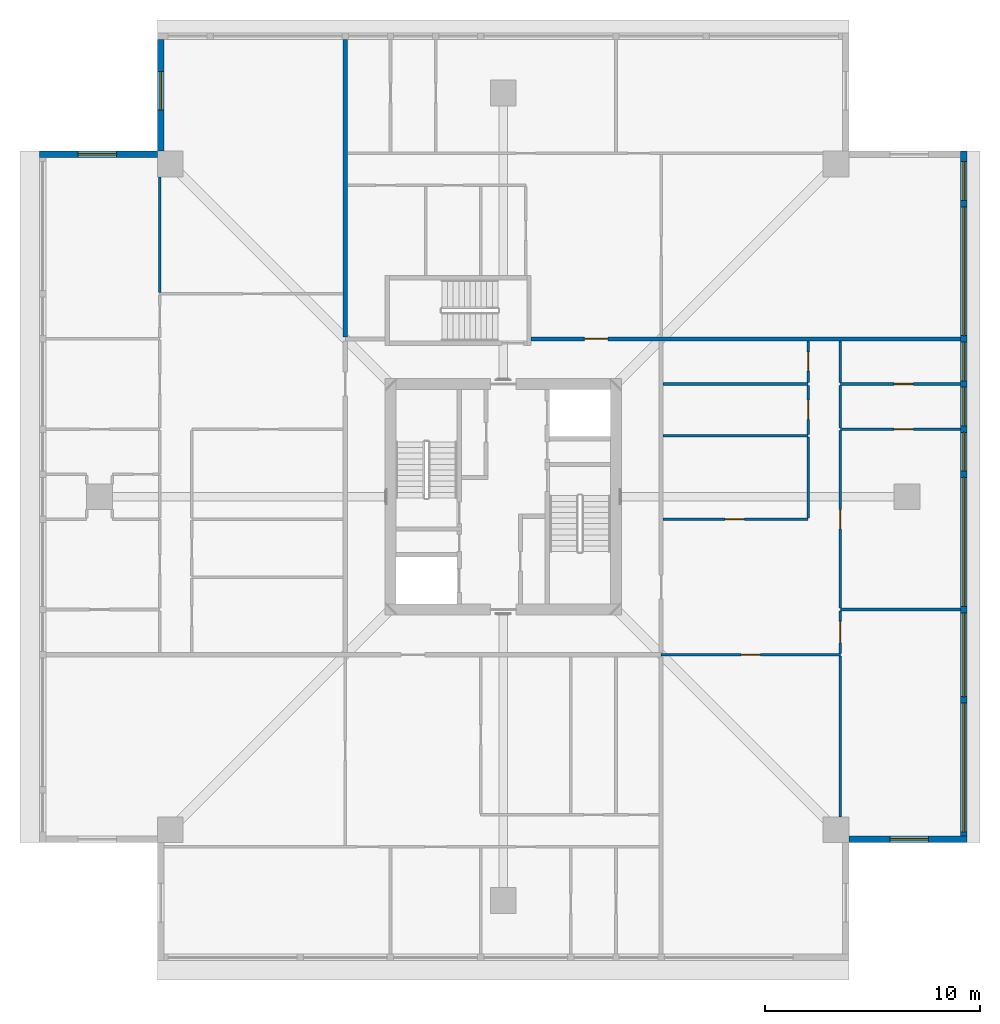
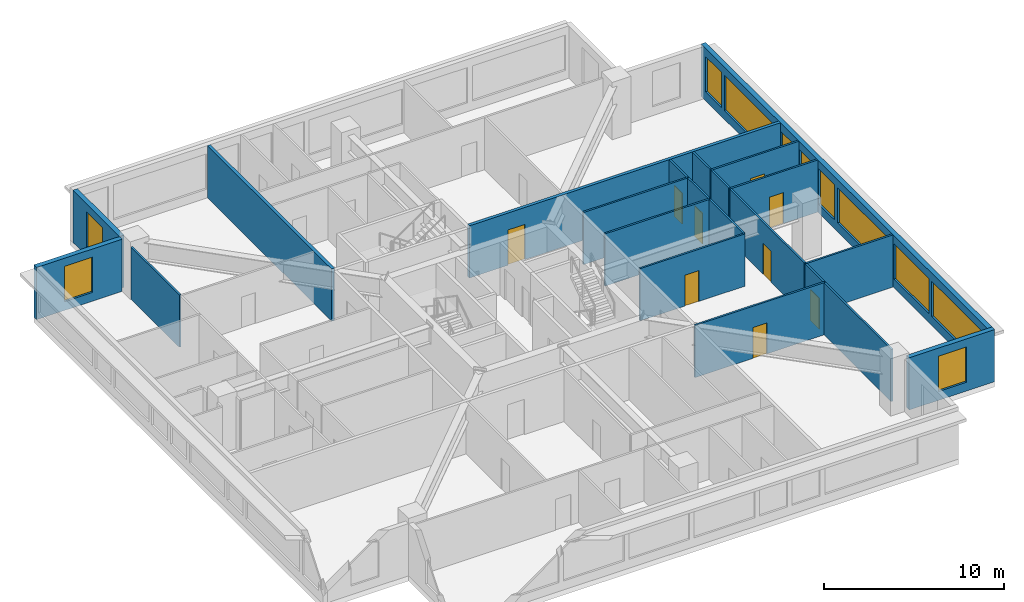
# One storey, part 7 of 12: 22 walls, 11 windows, 9 doors, 20 openings.
"""IFC4 building model written with IfcOpenShell, lengths in metres."""

from ifc_helpers import new_model, si_unit, direction, frame, frame_2d, origin, place, context, subcontext, project, spatial, rectangle, extrude, material, layer, layer_set, type_object, element, fill, save


model = new_model("IFC4")

# Units and contexts
model_context = context("Model", 3, precision=1e-05, world=origin(), true_north=direction((0.0, 1.0)))
body_context = subcontext(model_context, "Body", "Model", "MODEL_VIEW")
ifc_project = project(units=[si_unit("LENGTHUNIT", "METRE"), si_unit("AREAUNIT", "SQUARE_METRE"), si_unit("VOLUMEUNIT", "CUBIC_METRE"), si_unit("PLANEANGLEUNIT", "RADIAN"), si_unit("MASSUNIT", "GRAM", prefix="KILO")], contexts=[model_context])

# Site, building, storey
site_placement = place(None, origin())
site = spatial("IfcSite", under=ifc_project, at=site_placement, CompositionType="ELEMENT")
building_placement = place(site_placement, origin())
building = spatial("IfcBuilding", under=site, at=building_placement, Name="Khepri Terraces", CompositionType="ELEMENT")
storey_placement = place(building_placement, frame((0.0, 0.0, 296.699951171875)))
storey = spatial("IfcBuildingStorey", under=building, at=storey_placement, Name="L71", CompositionType="ELEMENT", Elevation=296.699951171875)

# Wall, opening, door
ifc_material_1 = material(Name="Fire-rated gypsum plasterboard partition, mineral wool")
ifc_layer_1 = layer(ifc_material_1, 0.199951171875, Name="Fire-rated gypsum plasterboard partition, mineral wool")
ifc_layer_set_1 = layer_set([ifc_layer_1], Name="Fire-rated gypsum plasterboard partition, mineral wool")
wall_type_1 = type_object("IfcWallType", Name="WL-CORR-200", PredefinedType="PARTITIONING", material=ifc_layer_set_1)
wall_1_placement = place(storey_placement, frame((1.300048828125, 7.35009765625, 0.0), z_axis=(0.0, 0.0, 1.0), x_axis=(1.0, 0.0, 0.0)))
wall_1 = element("IfcWall", 1, at=wall_1_placement, inside=storey, type_object=wall_type_1, Name="Partition P-053 L71", PredefinedType="PARTITIONING", context=body_context, shape_type="SweptSolid", body=[
    extrude(rectangle(XDim=20.0, YDim=0.199951171875, at=frame_2d((10.0, 0.0))), origin(), (0.0, 0.0, 1.0), 3.550048828125),
])
opening_1_placement = place(wall_1_placement, frame((2.47509765625, 0.0, 0.0)))
opening_1 = element("IfcOpeningElement", 2, at=opening_1_placement, cuts=wall_1, Name="Opening D1", PredefinedType="OPENING", context=body_context, shape_type="SweptSolid", body=[
    extrude(rectangle(XDim=1.10009765625, YDim=2.39990234375, at=frame_2d((0.550048828125, 1.199951171875))), frame((0.0, 0.10986328125, 0.0), z_axis=(0.0, -1.0, 0.0), x_axis=(1.0, 0.0, 0.0)), (0.0, 0.0, 1.0), 0.219970703125),
])
ifc_material_2 = material(Name="Solid-core timber door leaf, flat entrance door", Category="wood")
door_type_1 = type_object("IfcDoorType", Name="DR-ENT-1100", OperationType="NOTDEFINED", PredefinedType="DOOR", material=ifc_material_2)
door_1_placement = place(opening_1_placement, origin())
door_1 = element("IfcDoor", 3, at=door_1_placement, inside=storey, type_object=door_type_1, Name="Flat C1 entrance door", OperationType="SINGLE_SWING_LEFT", OverallHeight=2.39990234375, OverallWidth=1.10009765625, PredefinedType="DOOR", context=body_context, shape_type="SweptSolid", body=[
    extrude(rectangle(XDim=1.10009765625, YDim=2.39990234375, at=frame_2d((0.550048828125, 1.199951171875))), frame((0.0, 0.02490234375, 0.0), z_axis=(0.0, -1.0, 0.0), x_axis=(1.0, 0.0, 0.0)), (0.0, 0.0, 1.0), 0.050048828125),
])
fill(opening_1, door_1)

# Wall
wall_2_placement = place(storey_placement, frame((-7.35009765625, 7.449951171875, 0.0), z_axis=(0.0, 0.0, 1.0), x_axis=(0.0, 1.0, 0.0)))
element("IfcWall", 4, at=wall_2_placement, inside=storey, type_object=wall_type_1, Name="Partition P-055 L71", PredefinedType="PARTITIONING", context=body_context, shape_type="SweptSolid", body=[
    extrude(rectangle(XDim=13.85009765625, YDim=0.199951171875, at=frame_2d((6.925048828125, 0.0))), origin(), (0.0, 0.0, 1.0), 3.550048828125),
])

# Wall, openings, windows
ifc_material_3 = material(Name="Precast concrete C50/60 warm stone", Category="masonry")
ifc_layer_2 = layer(ifc_material_3, 0.300048828125, Name="Precast concrete C50/60 warm stone", Category="masonry")
ifc_layer_set_2 = layer_set([ifc_layer_2], Name="Precast concrete C50/60 warm stone")
wall_type_2 = type_object("IfcWallType", Name="WL-EXT-PRECAST-300", PredefinedType="STANDARD", material=ifc_layer_set_2)
wall_3_placement = place(storey_placement, frame((21.449951171875, -15.800048828125, 0.0), z_axis=(0.0, 0.0, 1.0), x_axis=(0.0, 1.0, 0.0)))
wall_3 = element("IfcWall", 5, at=wall_3_placement, inside=storey, type_object=wall_type_2, Name="External wall L71 E", PredefinedType="STANDARD", context=body_context, shape_type="SweptSolid", body=[
    extrude(rectangle(XDim=31.900146484375, YDim=0.300048828125, at=frame_2d((15.9501953125, 0.0))), origin(), (0.0, 0.0, 1.0), 3.550048828125),
])
opening_2_placement = place(wall_3_placement, frame((0.199951171875, 0.0, 0.60009765625)))
opening_2 = element("IfcOpeningElement", 6, at=opening_2_placement, cuts=wall_3, Name="Opening WC3", PredefinedType="OPENING", context=body_context, shape_type="SweptSolid", body=[
    extrude(rectangle(XDim=6.0, YDim=2.39990234375, at=frame_2d((3.0, 1.199951171875))), frame((0.0, 0.16015625, 0.0), z_axis=(0.0, -1.0, 0.0), x_axis=(1.0, 0.0, 0.0)), (0.0, 0.0, 1.0), 0.320068359375),
])
opening_3_placement = place(wall_3_placement, frame((6.5, 0.0, 0.60009765625)))
opening_3 = element("IfcOpeningElement", 7, at=opening_3_placement, cuts=wall_3, Name="Opening WC2", PredefinedType="OPENING", context=body_context, shape_type="SweptSolid", body=[
    extrude(rectangle(XDim=3.89990234375, YDim=2.39990234375, at=frame_2d((1.949951171875, 1.199951171875))), frame((0.0, 0.16015625, 0.0), z_axis=(0.0, -1.0, 0.0), x_axis=(1.0, 0.0, 0.0)), (0.0, 0.0, 1.0), 0.320068359375),
])
opening_4_placement = place(wall_3_placement, frame((10.699951171875, 0.0, 0.60009765625)))
opening_4 = element("IfcOpeningElement", 8, at=opening_4_placement, cuts=wall_3, Name="Opening WC3", PredefinedType="OPENING", context=body_context, shape_type="SweptSolid", body=[
    extrude(rectangle(XDim=6.0, YDim=2.39990234375, at=frame_2d((3.0, 1.199951171875))), frame((0.0, 0.16015625, 0.0), z_axis=(0.0, -1.0, 0.0), x_axis=(1.0, 0.0, 0.0)), (0.0, 0.0, 1.0), 0.320068359375),
])
opening_5_placement = place(wall_3_placement, frame((17.0, 0.0, 0.60009765625)))
opening_5 = element("IfcOpeningElement", 9, at=opening_5_placement, cuts=wall_3, Name="Opening WC1", PredefinedType="OPENING", context=body_context, shape_type="SweptSolid", body=[
    extrude(rectangle(XDim=1.800048828125, YDim=2.39990234375, at=frame_2d((0.89990234375, 1.199951171875))), frame((0.0, 0.16015625, 0.0), z_axis=(0.0, -1.0, 0.0), x_axis=(1.0, 0.0, 0.0)), (0.0, 0.0, 1.0), 0.320068359375),
])
opening_6_placement = place(wall_3_placement, frame((19.10009765625, 0.0, 0.60009765625)))
opening_6 = element("IfcOpeningElement", 10, at=opening_6_placement, cuts=wall_3, Name="Opening WC1", PredefinedType="OPENING", context=body_context, shape_type="SweptSolid", body=[
    extrude(rectangle(XDim=1.800048828125, YDim=2.39990234375, at=frame_2d((0.89990234375, 1.199951171875))), frame((0.0, 0.16015625, 0.0), z_axis=(0.0, -1.0, 0.0), x_axis=(1.0, 0.0, 0.0)), (0.0, 0.0, 1.0), 0.320068359375),
])
opening_7_placement = place(wall_3_placement, frame((21.199951171875, 0.0, 0.60009765625)))
opening_7 = element("IfcOpeningElement", 11, at=opening_7_placement, cuts=wall_3, Name="Opening WC1", PredefinedType="OPENING", context=body_context, shape_type="SweptSolid", body=[
    extrude(rectangle(XDim=1.800048828125, YDim=2.39990234375, at=frame_2d((0.89990234375, 1.199951171875))), frame((0.0, 0.16015625, 0.0), z_axis=(0.0, -1.0, 0.0), x_axis=(1.0, 0.0, 0.0)), (0.0, 0.0, 1.0), 0.320068359375),
])
opening_8_placement = place(wall_3_placement, frame((23.300048828125, 0.0, 0.60009765625)))
opening_8 = element("IfcOpeningElement", 12, at=opening_8_placement, cuts=wall_3, Name="Opening WC3", PredefinedType="OPENING", context=body_context, shape_type="SweptSolid", body=[
    extrude(rectangle(XDim=6.0, YDim=2.39990234375, at=frame_2d((3.0, 1.199951171875))), frame((0.0, 0.16015625, 0.0), z_axis=(0.0, -1.0, 0.0), x_axis=(1.0, 0.0, 0.0)), (0.0, 0.0, 1.0), 0.320068359375),
])
opening_9_placement = place(wall_3_placement, frame((29.60009765625, 0.0, 0.60009765625)))
opening_9 = element("IfcOpeningElement", 13, at=opening_9_placement, cuts=wall_3, Name="Opening WC1", PredefinedType="OPENING", context=body_context, shape_type="SweptSolid", body=[
    extrude(rectangle(XDim=1.800048828125, YDim=2.39990234375, at=frame_2d((0.89990234375, 1.199951171875))), frame((0.0, 0.16015625, 0.0), z_axis=(0.0, -1.0, 0.0), x_axis=(1.0, 0.0, 0.0)), (0.0, 0.0, 1.0), 0.320068359375),
])
ifc_material_4 = material(Name="Clear glass", Category="glass")
window_type_1 = type_object("IfcWindowType", Name="WIN-CRN-1800x2400", PartitioningType="SINGLE_PANEL", PredefinedType="WINDOW", material=ifc_material_4)
window_1_placement = place(opening_5_placement, origin())
window_1 = element("IfcWindow", 14, at=window_1_placement, inside=storey, type_object=window_type_1, Name="Window L71 E", OverallHeight=2.39990234375, OverallWidth=1.800048828125, PartitioningType="SINGLE_PANEL", PredefinedType="WINDOW", context=body_context, shape_type="SweptSolid", body=[
    extrude(rectangle(XDim=1.800048828125, YDim=2.39990234375, at=frame_2d((0.89990234375, 1.199951171875))), frame((0.0, 0.030029296875, 0.0), z_axis=(0.0, -1.0, 0.0), x_axis=(1.0, 0.0, 0.0)), (0.0, 0.0, 1.0), 0.06005859375),
])
fill(opening_5, window_1)
window_2_placement = place(opening_6_placement, origin())
window_2 = element("IfcWindow", 15, at=window_2_placement, inside=storey, type_object=window_type_1, Name="Window L71 E", OverallHeight=2.39990234375, OverallWidth=1.800048828125, PartitioningType="SINGLE_PANEL", PredefinedType="WINDOW", context=body_context, shape_type="SweptSolid", body=[
    extrude(rectangle(XDim=1.800048828125, YDim=2.39990234375, at=frame_2d((0.89990234375, 1.199951171875))), frame((0.0, 0.030029296875, 0.0), z_axis=(0.0, -1.0, 0.0), x_axis=(1.0, 0.0, 0.0)), (0.0, 0.0, 1.0), 0.06005859375),
])
fill(opening_6, window_2)
window_3_placement = place(opening_7_placement, origin())
window_3 = element("IfcWindow", 16, at=window_3_placement, inside=storey, type_object=window_type_1, Name="Window L71 E", OverallHeight=2.39990234375, OverallWidth=1.800048828125, PartitioningType="SINGLE_PANEL", PredefinedType="WINDOW", context=body_context, shape_type="SweptSolid", body=[
    extrude(rectangle(XDim=1.800048828125, YDim=2.39990234375, at=frame_2d((0.89990234375, 1.199951171875))), frame((0.0, 0.030029296875, 0.0), z_axis=(0.0, -1.0, 0.0), x_axis=(1.0, 0.0, 0.0)), (0.0, 0.0, 1.0), 0.06005859375),
])
fill(opening_7, window_3)
window_4_placement = place(opening_9_placement, origin())
window_4 = element("IfcWindow", 17, at=window_4_placement, inside=storey, type_object=window_type_1, Name="Window L71 E", OverallHeight=2.39990234375, OverallWidth=1.800048828125, PartitioningType="SINGLE_PANEL", PredefinedType="WINDOW", context=body_context, shape_type="SweptSolid", body=[
    extrude(rectangle(XDim=1.800048828125, YDim=2.39990234375, at=frame_2d((0.89990234375, 1.199951171875))), frame((0.0, 0.030029296875, 0.0), z_axis=(0.0, -1.0, 0.0), x_axis=(1.0, 0.0, 0.0)), (0.0, 0.0, 1.0), 0.06005859375),
])
fill(opening_9, window_4)
window_type_2 = type_object("IfcWindowType", Name="WIN-CRN-3900x2400", PartitioningType="SINGLE_PANEL", PredefinedType="WINDOW", material=ifc_material_4)
window_5_placement = place(opening_3_placement, origin())
window_5 = element("IfcWindow", 18, at=window_5_placement, inside=storey, type_object=window_type_2, Name="Window L71 E", OverallHeight=2.39990234375, OverallWidth=3.89990234375, PartitioningType="SINGLE_PANEL", PredefinedType="WINDOW", context=body_context, shape_type="SweptSolid", body=[
    extrude(rectangle(XDim=3.89990234375, YDim=2.39990234375, at=frame_2d((1.949951171875, 1.199951171875))), frame((0.0, 0.030029296875, 0.0), z_axis=(0.0, -1.0, 0.0), x_axis=(1.0, 0.0, 0.0)), (0.0, 0.0, 1.0), 0.06005859375),
])
fill(opening_3, window_5)
window_type_3 = type_object("IfcWindowType", Name="WIN-CRN-6000x2400", PartitioningType="SINGLE_PANEL", PredefinedType="WINDOW", material=ifc_material_4)
window_6_placement = place(opening_2_placement, origin())
window_6 = element("IfcWindow", 19, at=window_6_placement, inside=storey, type_object=window_type_3, Name="Window L71 E", OverallHeight=2.39990234375, OverallWidth=6.0, PartitioningType="SINGLE_PANEL", PredefinedType="WINDOW", context=body_context, shape_type="SweptSolid", body=[
    extrude(rectangle(XDim=6.0, YDim=2.39990234375, at=frame_2d((3.0, 1.199951171875))), frame((0.0, 0.030029296875, 0.0), z_axis=(0.0, -1.0, 0.0), x_axis=(1.0, 0.0, 0.0)), (0.0, 0.0, 1.0), 0.06005859375),
])
fill(opening_2, window_6)
window_7_placement = place(opening_4_placement, origin())
window_7 = element("IfcWindow", 20, at=window_7_placement, inside=storey, type_object=window_type_3, Name="Window L71 E", OverallHeight=2.39990234375, OverallWidth=6.0, PartitioningType="SINGLE_PANEL", PredefinedType="WINDOW", context=body_context, shape_type="SweptSolid", body=[
    extrude(rectangle(XDim=6.0, YDim=2.39990234375, at=frame_2d((3.0, 1.199951171875))), frame((0.0, 0.030029296875, 0.0), z_axis=(0.0, -1.0, 0.0), x_axis=(1.0, 0.0, 0.0)), (0.0, 0.0, 1.0), 0.06005859375),
])
fill(opening_4, window_7)
window_8_placement = place(opening_8_placement, origin())
window_8 = element("IfcWindow", 21, at=window_8_placement, inside=storey, type_object=window_type_3, Name="Window L71 E", OverallHeight=2.39990234375, OverallWidth=6.0, PartitioningType="SINGLE_PANEL", PredefinedType="WINDOW", context=body_context, shape_type="SweptSolid", body=[
    extrude(rectangle(XDim=6.0, YDim=2.39990234375, at=frame_2d((3.0, 1.199951171875))), frame((0.0, 0.030029296875, 0.0), z_axis=(0.0, -1.0, 0.0), x_axis=(1.0, 0.0, 0.0)), (0.0, 0.0, 1.0), 0.06005859375),
])
fill(opening_8, window_8)

# Wall, opening, window
wall_4_placement = place(storey_placement, frame((-15.949951171875, 21.300048828125, 0.0), z_axis=(0.0, 0.0, 1.0), x_axis=(0.0, -1.0, 0.0)))
wall_4 = element("IfcWall", 22, at=wall_4_placement, inside=storey, type_object=wall_type_2, Name="External wall L71 W", PredefinedType="STANDARD", context=body_context, shape_type="SweptSolid", body=[
    extrude(rectangle(XDim=5.199951171875, YDim=0.300048828125, at=frame_2d((2.60009765625, 0.0))), origin(), (0.0, 0.0, 1.0), 3.550048828125),
])
opening_10_placement = place(wall_4_placement, frame((1.5, 0.0, 0.60009765625)))
opening_10 = element("IfcOpeningElement", 23, at=opening_10_placement, cuts=wall_4, Name="Opening WC1", PredefinedType="OPENING", context=body_context, shape_type="SweptSolid", body=[
    extrude(rectangle(XDim=1.800048828125, YDim=2.39990234375, at=frame_2d((0.89990234375, 1.199951171875))), frame((0.0, 0.16015625, 0.0), z_axis=(0.0, -1.0, 0.0), x_axis=(1.0, 0.0, 0.0)), (0.0, 0.0, 1.0), 0.320068359375),
])
window_9_placement = place(opening_10_placement, origin())
window_9 = element("IfcWindow", 24, at=window_9_placement, inside=storey, type_object=window_type_1, Name="Window L71 W", OverallHeight=2.39990234375, OverallWidth=1.800048828125, PartitioningType="SINGLE_PANEL", PredefinedType="WINDOW", context=body_context, shape_type="SweptSolid", body=[
    extrude(rectangle(XDim=1.800048828125, YDim=2.39990234375, at=frame_2d((0.89990234375, 1.199951171875))), frame((0.0, 0.030029296875, 0.0), z_axis=(0.0, -1.0, 0.0), x_axis=(1.0, 0.0, 0.0)), (0.0, 0.0, 1.0), 0.06005859375),
])
fill(opening_10, window_9)

wall_5_placement = place(storey_placement, frame((-16.10009765625, 15.949951171875, 0.0), z_axis=(0.0, 0.0, 1.0), x_axis=(-1.0, 0.0, 0.0)))
wall_5 = element("IfcWall", 25, at=wall_5_placement, inside=storey, type_object=wall_type_2, Name="External wall L71 N", PredefinedType="STANDARD", context=body_context, shape_type="SweptSolid", body=[
    extrude(rectangle(XDim=5.5, YDim=0.300048828125, at=frame_2d((2.75, 0.0))), origin(), (0.0, 0.0, 1.0), 3.550048828125),
])
opening_11_placement = place(wall_5_placement, frame((1.89990234375, 0.0, 0.60009765625)))
opening_11 = element("IfcOpeningElement", 26, at=opening_11_placement, cuts=wall_5, Name="Opening WC1", PredefinedType="OPENING", context=body_context, shape_type="SweptSolid", body=[
    extrude(rectangle(XDim=1.800048828125, YDim=2.39990234375, at=frame_2d((0.89990234375, 1.199951171875))), frame((0.0, 0.16015625, 0.0), z_axis=(0.0, -1.0, 0.0), x_axis=(1.0, 0.0, 0.0)), (0.0, 0.0, 1.0), 0.320068359375),
])
window_10_placement = place(opening_11_placement, origin())
window_10 = element("IfcWindow", 27, at=window_10_placement, inside=storey, type_object=window_type_1, Name="Window L71 N", OverallHeight=2.39990234375, OverallWidth=1.800048828125, PartitioningType="SINGLE_PANEL", PredefinedType="WINDOW", context=body_context, shape_type="SweptSolid", body=[
    extrude(rectangle(XDim=1.800048828125, YDim=2.39990234375, at=frame_2d((0.89990234375, 1.199951171875))), frame((0.0, 0.030029296875, 0.0), z_axis=(0.0, -1.0, 0.0), x_axis=(1.0, 0.0, 0.0)), (0.0, 0.0, 1.0), 0.06005859375),
])
fill(opening_11, window_10)

wall_6_placement = place(storey_placement, frame((16.10009765625, -15.949951171875, 0.0), z_axis=(0.0, 0.0, 1.0), x_axis=(1.0, 0.0, 0.0)))
wall_6 = element("IfcWall", 28, at=wall_6_placement, inside=storey, type_object=wall_type_2, Name="External wall L71 S", PredefinedType="STANDARD", context=body_context, shape_type="SweptSolid", body=[
    extrude(rectangle(XDim=5.5, YDim=0.300048828125, at=frame_2d((2.75, 0.0))), origin(), (0.0, 0.0, 1.0), 3.550048828125),
])
opening_12_placement = place(wall_6_placement, frame((1.89990234375, 0.0, 0.60009765625)))
opening_12 = element("IfcOpeningElement", 29, at=opening_12_placement, cuts=wall_6, Name="Opening WC1", PredefinedType="OPENING", context=body_context, shape_type="SweptSolid", body=[
    extrude(rectangle(XDim=1.800048828125, YDim=2.39990234375, at=frame_2d((0.89990234375, 1.199951171875))), frame((0.0, 0.16015625, 0.0), z_axis=(0.0, -1.0, 0.0), x_axis=(1.0, 0.0, 0.0)), (0.0, 0.0, 1.0), 0.320068359375),
])
window_11_placement = place(opening_12_placement, origin())
window_11 = element("IfcWindow", 30, at=window_11_placement, inside=storey, type_object=window_type_1, Name="Window L71 S", OverallHeight=2.39990234375, OverallWidth=1.800048828125, PartitioningType="SINGLE_PANEL", PredefinedType="WINDOW", context=body_context, shape_type="SweptSolid", body=[
    extrude(rectangle(XDim=1.800048828125, YDim=2.39990234375, at=frame_2d((0.89990234375, 1.199951171875))), frame((0.0, 0.030029296875, 0.0), z_axis=(0.0, -1.0, 0.0), x_axis=(1.0, 0.0, 0.0)), (0.0, 0.0, 1.0), 0.06005859375),
])
fill(opening_12, window_11)

# Wall
ifc_material_5 = material(Name="Gypsum plasterboard partition")
ifc_layer_3 = layer(ifc_material_5, 0.1201171875, Name="Gypsum plasterboard partition")
ifc_layer_set_3 = layer_set([ifc_layer_3], Name="Gypsum plasterboard partition")
wall_type_3 = type_object("IfcWallType", Name="WL-PART-120", PredefinedType="PARTITIONING", material=ifc_layer_set_3)
wall_7_placement = place(storey_placement, frame((15.699951171875, -14.89990234375, 0.0), z_axis=(0.0, 0.0, 1.0), x_axis=(0.0, 1.0, 0.0)))
element("IfcWall", 31, at=wall_7_placement, inside=storey, type_object=wall_type_3, Name="Partition P-008 L71", PredefinedType="PARTITIONING", context=body_context, shape_type="SweptSolid", body=[
    extrude(rectangle(XDim=7.489990234375, YDim=0.1201171875, at=frame_2d((3.7451171875, 0.0))), origin(), (0.0, 0.0, 1.0), 3.550048828125),
])

# Wall, opening, door
wall_8_placement = place(storey_placement, frame((7.35009765625, -7.35009765625, 0.0), z_axis=(0.0, 0.0, 1.0), x_axis=(1.0, 0.0, 0.0)))
wall_8 = element("IfcWall", 32, at=wall_8_placement, inside=storey, type_object=wall_type_3, Name="Partition P-014 L71", PredefinedType="PARTITIONING", context=body_context, shape_type="SweptSolid", body=[
    extrude(rectangle(XDim=8.349853515625, YDim=0.1201171875, at=frame_2d((4.1748046875, 0.0))), origin(), (0.0, 0.0, 1.0), 3.550048828125),
])
opening_13_placement = place(wall_8_placement, frame((3.72509765625, 0.0, 0.0)))
opening_13 = element("IfcOpeningElement", 33, at=opening_13_placement, cuts=wall_8, Name="Opening D3", PredefinedType="OPENING", context=body_context, shape_type="SweptSolid", body=[
    extrude(rectangle(XDim=0.89990234375, YDim=2.10009765625, at=frame_2d((0.449951171875, 1.050048828125))), frame((0.0, 0.070068359375, 0.0), z_axis=(0.0, -1.0, 0.0), x_axis=(1.0, 0.0, 0.0)), (0.0, 0.0, 1.0), 0.14013671875),
])
ifc_material_6 = material(Name="Timber door leaf", Category="wood")
door_type_2 = type_object("IfcDoorType", Name="DR-INT-900", OperationType="NOTDEFINED", PredefinedType="DOOR", material=ifc_material_6)
door_2_placement = place(opening_13_placement, frame((0.89990234375, 0.0, 0.0), z_axis=(0.0, 0.0, 1.0), x_axis=(-1.0, 0.0, 0.0)))
door_2 = element("IfcDoor", 34, at=door_2_placement, inside=storey, type_object=door_type_2, Name="Door Home Cinema", OperationType="SINGLE_SWING_RIGHT", OverallHeight=2.10009765625, OverallWidth=0.89990234375, PredefinedType="DOOR", context=body_context, shape_type="SweptSolid", body=[
    extrude(rectangle(XDim=0.89990234375, YDim=2.10009765625, at=frame_2d((0.449951171875, 1.050048828125))), frame((0.0, 0.02490234375, 0.0), z_axis=(0.0, -1.0, 0.0), x_axis=(1.0, 0.0, 0.0)), (0.0, 0.0, 1.0), 0.050048828125),
])
fill(opening_13, door_2)

wall_9_placement = place(storey_placement, frame((15.699951171875, -7.2900390625, 0.0), z_axis=(0.0, 0.0, 1.0), x_axis=(0.0, 1.0, 0.0)))
wall_9 = element("IfcWall", 35, at=wall_9_placement, inside=storey, type_object=wall_type_3, Name="Partition P-015 L71", PredefinedType="PARTITIONING", context=body_context, shape_type="SweptSolid", body=[
    extrude(rectangle(XDim=1.97998046875, YDim=0.1201171875, at=frame_2d((0.989990234375, 0.0))), origin(), (0.0, 0.0, 1.0), 3.550048828125),
])
opening_14_placement = place(wall_9_placement, frame((0.489990234375, 0.0, 0.0)))
opening_14 = element("IfcOpeningElement", 36, at=opening_14_placement, cuts=wall_9, Name="Opening D2", PredefinedType="OPENING", context=body_context, shape_type="SweptSolid", body=[
    extrude(rectangle(XDim=1.0, YDim=2.10009765625, at=frame_2d((0.5, 1.050048828125))), frame((0.0, 0.070068359375, 0.0), z_axis=(0.0, -1.0, 0.0), x_axis=(1.0, 0.0, 0.0)), (0.0, 0.0, 1.0), 0.14013671875),
])
ifc_material_7 = material(Name="Timber door leaf, living room door", Category="wood")
door_type_3 = type_object("IfcDoorType", Name="DR-INT-1000", OperationType="NOTDEFINED", PredefinedType="DOOR", material=ifc_material_7)
door_3_placement = place(opening_14_placement, frame((1.0, 0.0, 0.0), z_axis=(0.0, 0.0, 1.0), x_axis=(-1.0, 0.0, 0.0)))
door_3 = element("IfcDoor", 37, at=door_3_placement, inside=storey, type_object=door_type_3, Name="Door Living Room", OperationType="SINGLE_SWING_LEFT", OverallHeight=2.10009765625, OverallWidth=1.0, PredefinedType="DOOR", context=body_context, shape_type="SweptSolid", body=[
    extrude(rectangle(XDim=1.0, YDim=2.10009765625, at=frame_2d((0.5, 1.050048828125))), frame((0.0, 0.02490234375, 0.0), z_axis=(0.0, -1.0, 0.0), x_axis=(1.0, 0.0, 0.0)), (0.0, 0.0, 1.0), 0.050048828125),
])
fill(opening_14, door_3)

# Wall
wall_10_placement = place(storey_placement, frame((15.699951171875, -5.25, 0.0), z_axis=(0.0, 0.0, 1.0), x_axis=(1.0, 0.0, 0.0)))
element("IfcWall", 38, at=wall_10_placement, inside=storey, type_object=wall_type_3, Name="Partition P-021 L71", PredefinedType="PARTITIONING", context=body_context, shape_type="SweptSolid", body=[
    extrude(rectangle(XDim=5.60009765625, YDim=0.1201171875, at=frame_2d((2.800048828125, 0.0))), origin(), (0.0, 0.0, 1.0), 3.550048828125),
])

# Wall, opening, door
wall_11_placement = place(storey_placement, frame((15.699951171875, -5.18994140625, 0.0), z_axis=(0.0, 0.0, 1.0), x_axis=(0.0, 1.0, 0.0)))
wall_11 = element("IfcWall", 39, at=wall_11_placement, inside=storey, type_object=wall_type_3, Name="Partition P-023 L71", PredefinedType="PARTITIONING", context=body_context, shape_type="SweptSolid", body=[
    extrude(rectangle(XDim=8.280029296875, YDim=0.1201171875, at=frame_2d((4.14013671875, 0.0))), origin(), (0.0, 0.0, 1.0), 3.550048828125),
])
opening_15_placement = place(wall_11_placement, frame((3.68994140625, 0.0, 0.0)))
opening_15 = element("IfcOpeningElement", 40, at=opening_15_placement, cuts=wall_11, Name="Opening D3", PredefinedType="OPENING", context=body_context, shape_type="SweptSolid", body=[
    extrude(rectangle(XDim=0.89990234375, YDim=2.10009765625, at=frame_2d((0.449951171875, 1.050048828125))), frame((0.0, 0.070068359375, 0.0), z_axis=(0.0, -1.0, 0.0), x_axis=(1.0, 0.0, 0.0)), (0.0, 0.0, 1.0), 0.14013671875),
])
door_4_placement = place(opening_15_placement, frame((0.89990234375, 0.0, 0.0), z_axis=(0.0, 0.0, 1.0), x_axis=(-1.0, 0.0, 0.0)))
door_4 = element("IfcDoor", 41, at=door_4_placement, inside=storey, type_object=door_type_2, Name="Door Master Bedroom", OperationType="SINGLE_SWING_LEFT", OverallHeight=2.10009765625, OverallWidth=0.89990234375, PredefinedType="DOOR", context=body_context, shape_type="SweptSolid", body=[
    extrude(rectangle(XDim=0.89990234375, YDim=2.10009765625, at=frame_2d((0.449951171875, 1.050048828125))), frame((0.0, 0.02490234375, 0.0), z_axis=(0.0, -1.0, 0.0), x_axis=(1.0, 0.0, 0.0)), (0.0, 0.0, 1.0), 0.050048828125),
])
fill(opening_15, door_4)

wall_12_placement = place(storey_placement, frame((7.449951171875, -1.050048828125, 0.0), z_axis=(0.0, 0.0, 1.0), x_axis=(1.0, 0.0, 0.0)))
wall_12 = element("IfcWall", 42, at=wall_12_placement, inside=storey, type_object=wall_type_3, Name="Partition P-027 L71", PredefinedType="PARTITIONING", context=body_context, shape_type="SweptSolid", body=[
    extrude(rectangle(XDim=6.75, YDim=0.1201171875, at=frame_2d((3.375, 0.0))), origin(), (0.0, 0.0, 1.0), 3.550048828125),
])
opening_16_placement = place(wall_12_placement, frame((2.875, 0.0, 0.0)))
opening_16 = element("IfcOpeningElement", 43, at=opening_16_placement, cuts=wall_12, Name="Opening D3", PredefinedType="OPENING", context=body_context, shape_type="SweptSolid", body=[
    extrude(rectangle(XDim=0.89990234375, YDim=2.10009765625, at=frame_2d((0.449951171875, 1.050048828125))), frame((0.0, 0.070068359375, 0.0), z_axis=(0.0, -1.0, 0.0), x_axis=(1.0, 0.0, 0.0)), (0.0, 0.0, 1.0), 0.14013671875),
])
door_5_placement = place(opening_16_placement, origin())
door_5 = element("IfcDoor", 44, at=door_5_placement, inside=storey, type_object=door_type_2, Name="Door Kitchen", OperationType="SINGLE_SWING_LEFT", OverallHeight=2.10009765625, OverallWidth=0.89990234375, PredefinedType="DOOR", context=body_context, shape_type="SweptSolid", body=[
    extrude(rectangle(XDim=0.89990234375, YDim=2.10009765625, at=frame_2d((0.449951171875, 1.050048828125))), frame((0.0, 0.02490234375, 0.0), z_axis=(0.0, -1.0, 0.0), x_axis=(1.0, 0.0, 0.0)), (0.0, 0.0, 1.0), 0.050048828125),
])
fill(opening_16, door_5)

# Walls
wall_13_placement = place(storey_placement, frame((14.199951171875, -0.989990234375, 0.0), z_axis=(0.0, 0.0, 1.0), x_axis=(0.0, 1.0, 0.0)))
element("IfcWall", 45, at=wall_13_placement, inside=storey, type_object=wall_type_3, Name="Partition P-031 L71", PredefinedType="PARTITIONING", context=body_context, shape_type="SweptSolid", body=[
    extrude(rectangle(XDim=3.780029296875, YDim=0.1201171875, at=frame_2d((1.89013671875, 0.0))), origin(), (0.0, 0.0, 1.0), 3.550048828125),
])
wall_14_placement = place(storey_placement, frame((7.449951171875, 2.85009765625, 0.0), z_axis=(0.0, 0.0, 1.0), x_axis=(1.0, 0.0, 0.0)))
element("IfcWall", 46, at=wall_14_placement, inside=storey, type_object=wall_type_3, Name="Partition P-040 L71", PredefinedType="PARTITIONING", context=body_context, shape_type="SweptSolid", body=[
    extrude(rectangle(XDim=6.75, YDim=0.1201171875, at=frame_2d((3.375, 0.0))), origin(), (0.0, 0.0, 1.0), 3.550048828125),
])

# Wall, opening, door
wall_15_placement = place(storey_placement, frame((14.199951171875, 2.909912109375, 0.0), z_axis=(0.0, 0.0, 1.0), x_axis=(0.0, 1.0, 0.0)))
wall_15 = element("IfcWall", 47, at=wall_15_placement, inside=storey, type_object=wall_type_3, Name="Partition P-041 L71", PredefinedType="PARTITIONING", context=body_context, shape_type="SweptSolid", body=[
    extrude(rectangle(XDim=2.280029296875, YDim=0.1201171875, at=frame_2d((1.14013671875, 0.0))), origin(), (0.0, 0.0, 1.0), 3.550048828125),
])
opening_17_placement = place(wall_15_placement, frame((0.68994140625, 0.0, 0.0)))
opening_17 = element("IfcOpeningElement", 48, at=opening_17_placement, cuts=wall_15, Name="Opening D4", PredefinedType="OPENING", context=body_context, shape_type="SweptSolid", body=[
    extrude(rectangle(XDim=0.89990234375, YDim=2.10009765625, at=frame_2d((0.449951171875, 1.050048828125))), frame((0.0, 0.070068359375, 0.0), z_axis=(0.0, -1.0, 0.0), x_axis=(1.0, 0.0, 0.0)), (0.0, 0.0, 1.0), 0.14013671875),
])
ifc_material_8 = material(Name="Timber door leaf, moisture resistant", Category="wood")
door_type_4 = type_object("IfcDoorType", Name="DR-WET-900", OperationType="NOTDEFINED", PredefinedType="DOOR", material=ifc_material_8)
door_6_placement = place(opening_17_placement, origin())
door_6 = element("IfcDoor", 49, at=door_6_placement, inside=storey, type_object=door_type_4, Name="Door Guest Bathroom", OperationType="SINGLE_SWING_LEFT", OverallHeight=2.10009765625, OverallWidth=0.89990234375, PredefinedType="DOOR", context=body_context, shape_type="SweptSolid", body=[
    extrude(rectangle(XDim=0.89990234375, YDim=2.10009765625, at=frame_2d((0.449951171875, 1.050048828125))), frame((0.0, 0.02490234375, 0.0), z_axis=(0.0, -1.0, 0.0), x_axis=(1.0, 0.0, 0.0)), (0.0, 0.0, 1.0), 0.050048828125),
])
fill(opening_17, door_6)

wall_16_placement = place(storey_placement, frame((15.699951171875, 3.14990234375, 0.0), z_axis=(0.0, 0.0, 1.0), x_axis=(1.0, 0.0, 0.0)))
wall_16 = element("IfcWall", 50, at=wall_16_placement, inside=storey, type_object=wall_type_3, Name="Partition P-044 L71", PredefinedType="PARTITIONING", context=body_context, shape_type="SweptSolid", body=[
    extrude(rectangle(XDim=5.60009765625, YDim=0.1201171875, at=frame_2d((2.800048828125, 0.0))), origin(), (0.0, 0.0, 1.0), 3.550048828125),
])
opening_18_placement = place(wall_16_placement, frame((2.5, 0.0, 0.0)))
opening_18 = element("IfcOpeningElement", 51, at=opening_18_placement, cuts=wall_16, Name="Opening D3", PredefinedType="OPENING", context=body_context, shape_type="SweptSolid", body=[
    extrude(rectangle(XDim=0.89990234375, YDim=2.10009765625, at=frame_2d((0.449951171875, 1.050048828125))), frame((0.0, 0.070068359375, 0.0), z_axis=(0.0, -1.0, 0.0), x_axis=(1.0, 0.0, 0.0)), (0.0, 0.0, 1.0), 0.14013671875),
])
door_7_placement = place(opening_18_placement, origin())
door_7 = element("IfcDoor", 52, at=door_7_placement, inside=storey, type_object=door_type_2, Name="Door Dressing Room", OperationType="SINGLE_SWING_RIGHT", OverallHeight=2.10009765625, OverallWidth=0.89990234375, PredefinedType="DOOR", context=body_context, shape_type="SweptSolid", body=[
    extrude(rectangle(XDim=0.89990234375, YDim=2.10009765625, at=frame_2d((0.449951171875, 1.050048828125))), frame((0.0, 0.02490234375, 0.0), z_axis=(0.0, -1.0, 0.0), x_axis=(1.0, 0.0, 0.0)), (0.0, 0.0, 1.0), 0.050048828125),
])
fill(opening_18, door_7)

# Walls
wall_17_placement = place(storey_placement, frame((15.699951171875, 3.2099609375, 0.0), z_axis=(0.0, 0.0, 1.0), x_axis=(0.0, 1.0, 0.0)))
element("IfcWall", 53, at=wall_17_placement, inside=storey, type_object=wall_type_3, Name="Partition P-046 L71", PredefinedType="PARTITIONING", context=body_context, shape_type="SweptSolid", body=[
    extrude(rectangle(XDim=1.97998046875, YDim=0.1201171875, at=frame_2d((0.989990234375, 0.0))), origin(), (0.0, 0.0, 1.0), 3.550048828125),
])
wall_18_placement = place(storey_placement, frame((7.449951171875, 5.25, 0.0), z_axis=(0.0, 0.0, 1.0), x_axis=(1.0, 0.0, 0.0)))
element("IfcWall", 54, at=wall_18_placement, inside=storey, type_object=wall_type_3, Name="Partition P-047 L71", PredefinedType="PARTITIONING", context=body_context, shape_type="SweptSolid", body=[
    extrude(rectangle(XDim=6.75, YDim=0.1201171875, at=frame_2d((3.375, 0.0))), origin(), (0.0, 0.0, 1.0), 3.550048828125),
])

# Wall, opening, door
wall_19_placement = place(storey_placement, frame((15.699951171875, 5.25, 0.0), z_axis=(0.0, 0.0, 1.0), x_axis=(1.0, 0.0, 0.0)))
wall_19 = element("IfcWall", 55, at=wall_19_placement, inside=storey, type_object=wall_type_3, Name="Partition P-048 L71", PredefinedType="PARTITIONING", context=body_context, shape_type="SweptSolid", body=[
    extrude(rectangle(XDim=5.60009765625, YDim=0.1201171875, at=frame_2d((2.800048828125, 0.0))), origin(), (0.0, 0.0, 1.0), 3.550048828125),
])
opening_19_placement = place(wall_19_placement, frame((2.5, 0.0, 0.0)))
opening_19 = element("IfcOpeningElement", 56, at=opening_19_placement, cuts=wall_19, Name="Opening D4", PredefinedType="OPENING", context=body_context, shape_type="SweptSolid", body=[
    extrude(rectangle(XDim=0.89990234375, YDim=2.10009765625, at=frame_2d((0.449951171875, 1.050048828125))), frame((0.0, 0.070068359375, 0.0), z_axis=(0.0, -1.0, 0.0), x_axis=(1.0, 0.0, 0.0)), (0.0, 0.0, 1.0), 0.14013671875),
])
door_8_placement = place(opening_19_placement, origin())
door_8 = element("IfcDoor", 57, at=door_8_placement, inside=storey, type_object=door_type_4, Name="Door Bathroom", OperationType="SINGLE_SWING_RIGHT", OverallHeight=2.10009765625, OverallWidth=0.89990234375, PredefinedType="DOOR", context=body_context, shape_type="SweptSolid", body=[
    extrude(rectangle(XDim=0.89990234375, YDim=2.10009765625, at=frame_2d((0.449951171875, 1.050048828125))), frame((0.0, 0.02490234375, 0.0), z_axis=(0.0, -1.0, 0.0), x_axis=(1.0, 0.0, 0.0)), (0.0, 0.0, 1.0), 0.050048828125),
])
fill(opening_19, door_8)

wall_20_placement = place(storey_placement, frame((14.199951171875, 5.31005859375, 0.0), z_axis=(0.0, 0.0, 1.0), x_axis=(0.0, 1.0, 0.0)))
wall_20 = element("IfcWall", 58, at=wall_20_placement, inside=storey, type_object=wall_type_3, Name="Partition P-049 L71", PredefinedType="PARTITIONING", context=body_context, shape_type="SweptSolid", body=[
    extrude(rectangle(XDim=1.93994140625, YDim=0.1201171875, at=frame_2d((0.969970703125, 0.0))), origin(), (0.0, 0.0, 1.0), 3.550048828125),
])
opening_20_placement = place(wall_20_placement, frame((0.5400390625, 0.0, 0.0)))
opening_20 = element("IfcOpeningElement", 59, at=opening_20_placement, cuts=wall_20, Name="Opening D4", PredefinedType="OPENING", context=body_context, shape_type="SweptSolid", body=[
    extrude(rectangle(XDim=0.89990234375, YDim=2.10009765625, at=frame_2d((0.449951171875, 1.050048828125))), frame((0.0, 0.070068359375, 0.0), z_axis=(0.0, -1.0, 0.0), x_axis=(1.0, 0.0, 0.0)), (0.0, 0.0, 1.0), 0.14013671875),
])
door_9_placement = place(opening_20_placement, origin())
door_9 = element("IfcDoor", 60, at=door_9_placement, inside=storey, type_object=door_type_4, Name="Door Powder Room", OperationType="SINGLE_SWING_RIGHT", OverallHeight=2.10009765625, OverallWidth=0.89990234375, PredefinedType="DOOR", context=body_context, shape_type="SweptSolid", body=[
    extrude(rectangle(XDim=0.89990234375, YDim=2.10009765625, at=frame_2d((0.449951171875, 1.050048828125))), frame((0.0, 0.02490234375, 0.0), z_axis=(0.0, -1.0, 0.0), x_axis=(1.0, 0.0, 0.0)), (0.0, 0.0, 1.0), 0.050048828125),
])
fill(opening_20, door_9)

# Walls
wall_21_placement = place(storey_placement, frame((15.699951171875, 5.31005859375, 0.0), z_axis=(0.0, 0.0, 1.0), x_axis=(0.0, 1.0, 0.0)))
element("IfcWall", 61, at=wall_21_placement, inside=storey, type_object=wall_type_3, Name="Partition P-050 L71", PredefinedType="PARTITIONING", context=body_context, shape_type="SweptSolid", body=[
    extrude(rectangle(XDim=1.93994140625, YDim=0.1201171875, at=frame_2d((0.969970703125, 0.0))), origin(), (0.0, 0.0, 1.0), 3.550048828125),
])
wall_22_placement = place(storey_placement, frame((-16.0, 9.510009765625, 0.0), z_axis=(0.0, 0.0, 1.0), x_axis=(0.0, 1.0, 0.0)))
element("IfcWall", 62, at=wall_22_placement, inside=storey, type_object=wall_type_3, Name="Partition P-058 L71", PredefinedType="PARTITIONING", context=body_context, shape_type="SweptSolid", body=[
    extrude(rectangle(XDim=5.389892578125, YDim=0.1201171875, at=frame_2d((2.69482421875, 0.0))), origin(), (0.0, 0.0, 1.0), 3.550048828125),
])

save(model, "model.ifc")
